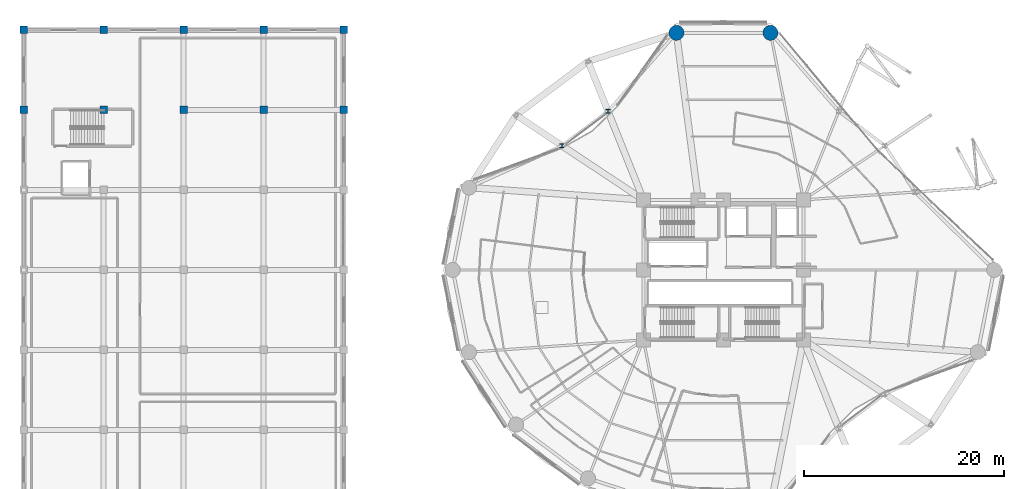
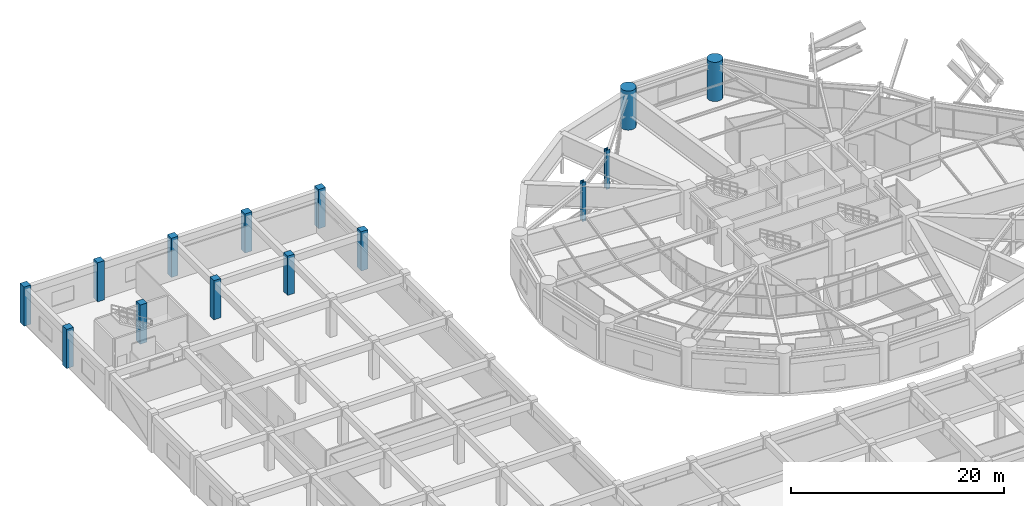
# One storey, part 3 of 53: 14 columns.
"""IFC4 building model written with IfcOpenShell, lengths in metres."""

from ifc_helpers import new_model, si_unit, direction, frame, origin, origin_2d, place, context, subcontext, project, spatial, rectangle, circle, i_section, extrude, material, material_profile, profile_set, type_object, element, save


model = new_model("IFC4")

# Units and contexts
model_context = context("Model", 3, precision=1e-05, world=origin(), true_north=direction((0.0, 1.0)))
body_context = subcontext(model_context, "Body", "Model", "MODEL_VIEW")
ifc_project = project(units=[si_unit("LENGTHUNIT", "METRE"), si_unit("AREAUNIT", "SQUARE_METRE"), si_unit("VOLUMEUNIT", "CUBIC_METRE"), si_unit("PLANEANGLEUNIT", "RADIAN"), si_unit("MASSUNIT", "GRAM", prefix="KILO")], contexts=[model_context])

# Site, building, storey
site_placement = place(None, origin())
site = spatial("IfcSite", under=ifc_project, at=site_placement, CompositionType="ELEMENT")
building_placement = place(site_placement, origin())
building = spatial("IfcBuilding", under=site, at=building_placement, Name="Kelanora Arch Commons", CompositionType="ELEMENT")
storey_placement = place(building_placement, frame((0.0, 0.0, 9.0)))
storey = spatial("IfcBuildingStorey", under=building, at=storey_placement, Name="L02", CompositionType="ELEMENT", Elevation=9.0)

# Columns
ifc_material_1 = material(Name="Concrete C50/60", Category="concrete")
ifc_material_profile_1 = material_profile(ifc_material_1, rectangle(XDim=0.75, YDim=0.75, at=origin_2d()), Name="RC750x750")
ifc_profile_set_1 = profile_set([ifc_material_profile_1], Name="Concrete C50/60")
column_type_1 = type_object("IfcColumnType", Name="COL-MKT-MAIN", PredefinedType="COLUMN", material=ifc_profile_set_1)
for number, where, z_axis, x_axis, name in (
    (1, (4.0, 74.0, 0.0), (0.0, 0.0, 1.0), (1.0, 0.0, 0.0), "Market Hall Column 1-K L02"),
    (2, (4.0, 82.0, 0.0), (0.0, 0.0, 1.0), (1.0, 0.0, 0.0), "Market Hall Column 1-L L02"),
    (3, (12.0, 74.0, 0.0), (0.0, 0.0, 1.0), (1.0, 0.0, 0.0), "Market Hall Column 2-K L02"),
    (4, (12.0, 82.0, 0.0), (0.0, 0.0, 1.0), (1.0, 0.0, 0.0), "Market Hall Column 2-L L02"),
    (5, (20.0, 74.0, 0.0), (0.0, 0.0, 1.0), (1.0, 0.0, 0.0), "Market Hall Column 3-K L02"),
    (6, (20.0, 82.0, 0.0), (0.0, 0.0, 1.0), (1.0, 0.0, 0.0), "Market Hall Column 3-L L02"),
    (7, (28.0, 74.0, 0.0), (0.0, 0.0, 1.0), (1.0, 0.0, 0.0), "Market Hall Column 4-K L02"),
    (8, (28.0, 82.0, 0.0), (0.0, 0.0, 1.0), (1.0, 0.0, 0.0), "Market Hall Column 4-L L02"),
    (9, (36.0, 74.0, 0.0), (0.0, 0.0, 1.0), (1.0, 0.0, 0.0), "Market Hall Column 5-K L02"),
    (10, (36.0, 82.0, 0.0), (0.0, 0.0, 1.0), (1.0, 0.0, 0.0), "Market Hall Column 5-L L02"),
):
    element("IfcColumn", number, at=place(storey_placement, frame(where, z_axis=z_axis, x_axis=x_axis)), inside=storey, type_object=column_type_1, Name=name, PredefinedType="COLUMN", context=body_context, shape_type="SweptSolid", body=[
        extrude(rectangle(XDim=0.75, YDim=0.75, at=origin_2d()), origin(), (0.0, 0.0, 1.0), 4.5),
    ])
ifc_material_2 = material(Name="Concrete C60/75", Category="concrete")
ifc_material_profile_2 = material_profile(ifc_material_2, circle(Radius=0.75, at=origin_2d()), Name="RCC1500")
ifc_profile_set_2 = profile_set([ifc_material_profile_2], Name="Concrete C60/75")
column_type_2 = type_object("IfcColumnType", Name="COL-PERIM-Z1", PredefinedType="COLUMN", material=ifc_profile_set_2)
for number, where, z_axis, x_axis, name in (
    (11, (78.702392578125, 81.714111328125, 0.0), (0.0, 0.0, 1.0), (1.0, 0.0, 0.0), "Perimeter Ring Column CP-08 L02"),
    (12, (69.297607421875, 81.714111328125, 0.0), (0.0, 0.0, 1.0), (1.0, 0.0, 0.0), "Perimeter Ring Column CP-10 L02"),
):
    element("IfcColumn", number, at=place(storey_placement, frame(where, z_axis=z_axis, x_axis=x_axis)), inside=storey, type_object=column_type_2, Name=name, PredefinedType="COLUMN", context=body_context, shape_type="SweptSolid", body=[
        extrude(circle(Radius=0.75, at=origin_2d()), origin(), (0.0, 0.0, 1.0), 4.5),
    ])
ifc_material_3 = material(Name="Steel S355", Category="steel")
ifc_material_profile_3 = material_profile(ifc_material_3, i_section(OverallWidth=0.406005859375, OverallDepth=0.416015625, WebThickness=0.029052734375, FlangeThickness=0.048095703125, FilletRadius=0.014892578125, at=origin_2d()), Name="HD400x382")
ifc_profile_set_3 = profile_set([ifc_material_profile_3], Name="Steel S355")
column_type_3 = type_object("IfcColumnType", Name="COL-PORCH", PredefinedType="COLUMN", material=ifc_profile_set_3)
for number, where, z_axis, x_axis, name in (
    (13, (62.454345703125, 73.866455078125, 0.0), (0.0, 0.0, 1.0), (1.0, 0.0, 0.0), "Recessed Courtyard Column CCC-12 L02"),
    (14, (57.843505859375, 70.426025390625, 0.0), (0.0, 0.0, 1.0), (1.0, 0.0, 0.0), "Recessed Courtyard Column CCC-14 L02"),
):
    element("IfcColumn", number, at=place(storey_placement, frame(where, z_axis=z_axis, x_axis=x_axis)), inside=storey, type_object=column_type_3, Name=name, PredefinedType="COLUMN", context=body_context, shape_type="SweptSolid", body=[
        extrude(i_section(OverallWidth=0.406005859375, OverallDepth=0.416015625, WebThickness=0.029052734375, FlangeThickness=0.048095703125, FilletRadius=0.014892578125, at=origin_2d()), origin(), (0.0, 0.0, 1.0), 4.5),
    ])

save(model, "model.ifc")
